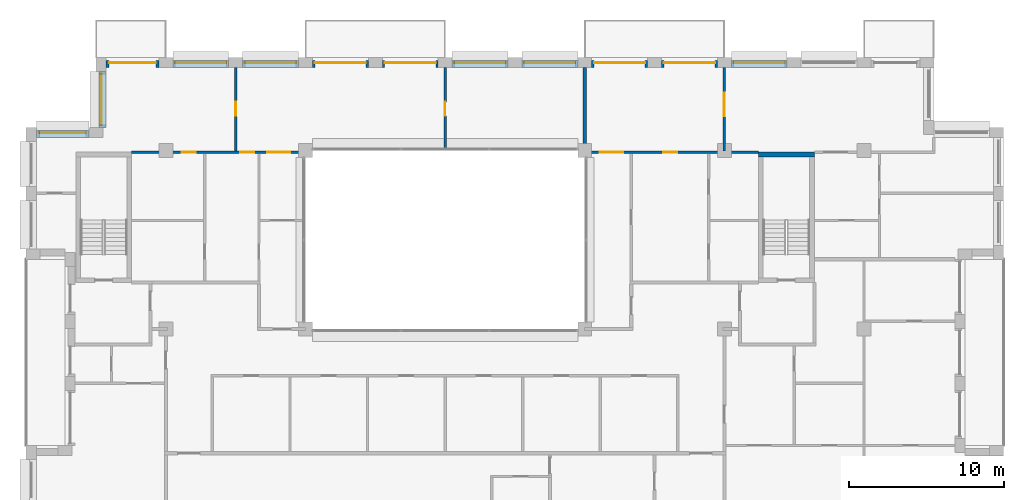
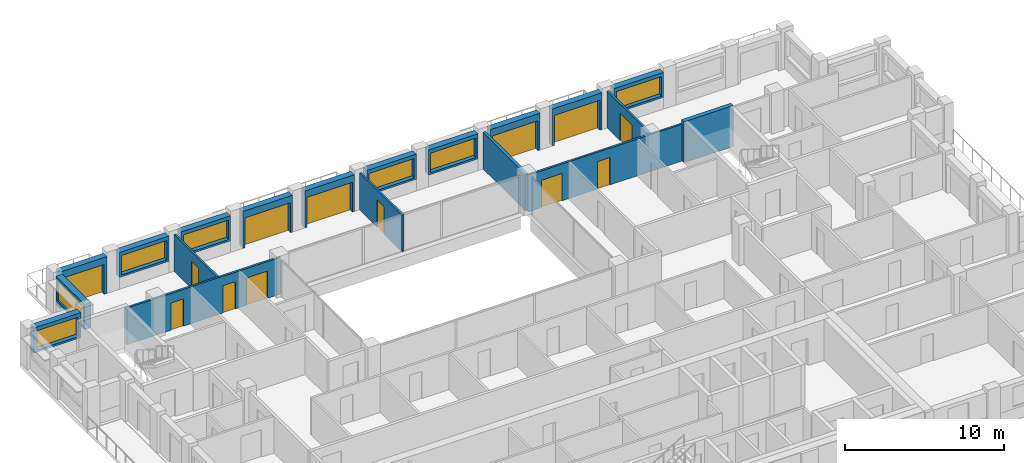
# One storey, part 13 of 15: 19 walls, 13 doors, 7 windows, 20 openings.
"""IFC4 building model written with IfcOpenShell, lengths in metres."""

from ifc_helpers import new_model, si_unit, direction, frame, frame_2d, origin, place, context, subcontext, project, spatial, rectangle, extrude, material, layer, layer_set, type_object, element, fill, save


model = new_model("IFC4")

# Units and contexts
model_context = context("Model", 3, precision=1e-05, world=origin(), true_north=direction((0.0, 1.0)))
body_context = subcontext(model_context, "Body", "Model", "MODEL_VIEW")
ifc_project = project(units=[si_unit("LENGTHUNIT", "METRE"), si_unit("AREAUNIT", "SQUARE_METRE"), si_unit("VOLUMEUNIT", "CUBIC_METRE"), si_unit("PLANEANGLEUNIT", "RADIAN"), si_unit("MASSUNIT", "GRAM", prefix="KILO")], contexts=[model_context])

# Site, building, storey
site_placement = place(None, origin())
site = spatial("IfcSite", under=ifc_project, at=site_placement, CompositionType="ELEMENT")
building_placement = place(site_placement, origin())
building = spatial("IfcBuilding", under=site, at=building_placement, Name="Brigalow Station Residences", CompositionType="ELEMENT")
storey_placement = place(building_placement, frame((0.0, 0.0, 207.449951171875)))
storey = spatial("IfcBuildingStorey", under=building, at=storey_placement, Name="L59", CompositionType="ELEMENT", Elevation=207.449951171875)

# Wall, opening, window
ifc_material_1 = material(Name="Clay brick masonry", Category="masonry")
ifc_layer_1 = layer(ifc_material_1, 0.449951171875)
ifc_layer_set_1 = layer_set([ifc_layer_1], Name="BRICK INFILL WALL 450")
wall_type_1 = type_object("IfcWallType", Name="BRICK INFILL WALL 450", PredefinedType="SOLIDWALL", material=ifc_layer_set_1)
wall_1_placement = place(storey_placement, frame((58.050048828125, 41.074951171875, 0.900146484375), z_axis=(0.0, 0.0, 1.0), x_axis=(-1.0, 0.0, 0.0)))
wall_1 = element("IfcWall", 1, at=wall_1_placement, inside=storey, type_object=wall_type_1, Name="L59/ewall/W-L59-22", PredefinedType="SOLIDWALL", context=body_context, shape_type="SweptSolid", body=[
    extrude(rectangle(XDim=3.60009765625, YDim=0.449951171875, at=frame_2d((1.800048828125, 0.0))), origin(), (0.0, 0.0, 1.0), 1.929931640625),
])
opening_1_placement = place(wall_1_placement, frame((0.14990234375, 0.0, 0.14990234375)))
opening_1 = element("IfcOpeningElement", 2, at=opening_1_placement, cuts=wall_1, Name="Opening WT-10", PredefinedType="OPENING", context=body_context, shape_type="SweptSolid", body=[
    extrude(rectangle(XDim=3.300048828125, YDim=1.5, at=frame_2d((1.64990234375, 0.75))), frame((0.0, 0.23486328125, 0.0), z_axis=(0.0, -1.0, 0.0), x_axis=(1.0, 0.0, 0.0)), (0.0, 0.0, 1.0), 0.469970703125),
])
ifc_material_2 = material(Name="Anodised aluminium frame with double glazing", Category="aluminium")
window_type_1 = type_object("IfcWindowType", Name="WINDOW 3300x1500", PartitioningType="SINGLE_PANEL", PredefinedType="WINDOW", material=ifc_material_2)
window_1_placement = place(opening_1_placement, origin())
window_1 = element("IfcWindow", 3, at=window_1_placement, inside=storey, type_object=window_type_1, Name="L59/window/W-L59-22", OverallHeight=1.5, OverallWidth=3.300048828125, PartitioningType="SINGLE_PANEL", PredefinedType="WINDOW", context=body_context, shape_type="SweptSolid", body=[
    extrude(rectangle(XDim=3.300048828125, YDim=1.5, at=frame_2d((1.64990234375, 0.75))), frame((0.0, -0.06494140625, 0.0), z_axis=(0.0, -1.0, 0.0), x_axis=(1.0, 0.0, 0.0)), (0.0, 0.0, 1.0), 0.06005859375),
])
fill(opening_1, window_1)

# Wall, opening, door
wall_2_placement = place(storey_placement, frame((53.550048828125, 41.074951171875, 0.0), z_axis=(0.0, 0.0, 1.0), x_axis=(-1.0, 0.0, 0.0)))
wall_2 = element("IfcWall", 4, at=wall_2_placement, inside=storey, type_object=wall_type_1, Name="L59/ewall/W-L59-23", PredefinedType="SOLIDWALL", context=body_context, shape_type="SweptSolid", body=[
    extrude(rectangle(XDim=3.60009765625, YDim=0.449951171875, at=frame_2d((1.800048828125, 0.0))), origin(), (0.0, 0.0, 1.0), 2.830078125),
])
opening_2_placement = place(wall_2_placement, frame((0.14990234375, 0.0, 0.0)))
opening_2 = element("IfcOpeningElement", 5, at=opening_2_placement, cuts=wall_2, Name="Opening D-B3300", PredefinedType="OPENING", context=body_context, shape_type="SweptSolid", body=[
    extrude(rectangle(XDim=3.300048828125, YDim=2.300048828125, at=frame_2d((1.64990234375, 1.14990234375))), frame((0.0, 0.23486328125, 0.0), z_axis=(0.0, -1.0, 0.0), x_axis=(1.0, 0.0, 0.0)), (0.0, 0.0, 1.0), 0.469970703125),
])
ifc_material_3 = material(Name="Anodised aluminium frame with double glazing", Category="aluminium")
door_type_1 = type_object("IfcDoorType", Name="BALCONY SLIDING DOOR 3300x2300", OperationType="SLIDING_TO_LEFT", PredefinedType="DOOR", material=ifc_material_3)
door_1_placement = place(opening_2_placement, origin())
door_1 = element("IfcDoor", 6, at=door_1_placement, inside=storey, type_object=door_type_1, Name="L59/balcony-door/W-L59-23", OperationType="SLIDING_TO_LEFT", OverallHeight=2.300048828125, OverallWidth=3.300048828125, PredefinedType="DOOR", context=body_context, shape_type="SweptSolid", body=[
    extrude(rectangle(XDim=3.300048828125, YDim=2.300048828125, at=frame_2d((1.64990234375, 1.14990234375))), frame((0.0, -0.06982421875, 0.0), z_axis=(0.0, -1.0, 0.0), x_axis=(1.0, 0.0, 0.0)), (0.0, 0.0, 1.0), 0.050048828125),
])
fill(opening_2, door_1)

wall_3_placement = place(storey_placement, frame((49.050048828125, 41.074951171875, 0.0), z_axis=(0.0, 0.0, 1.0), x_axis=(-1.0, 0.0, 0.0)))
wall_3 = element("IfcWall", 7, at=wall_3_placement, inside=storey, type_object=wall_type_1, Name="L59/ewall/W-L59-24", PredefinedType="SOLIDWALL", context=body_context, shape_type="SweptSolid", body=[
    extrude(rectangle(XDim=3.60009765625, YDim=0.449951171875, at=frame_2d((1.800048828125, 0.0))), origin(), (0.0, 0.0, 1.0), 2.830078125),
])
opening_3_placement = place(wall_3_placement, frame((0.14990234375, 0.0, 0.0)))
opening_3 = element("IfcOpeningElement", 8, at=opening_3_placement, cuts=wall_3, Name="Opening D-B3300", PredefinedType="OPENING", context=body_context, shape_type="SweptSolid", body=[
    extrude(rectangle(XDim=3.300048828125, YDim=2.300048828125, at=frame_2d((1.64990234375, 1.14990234375))), frame((0.0, 0.23486328125, 0.0), z_axis=(0.0, -1.0, 0.0), x_axis=(1.0, 0.0, 0.0)), (0.0, 0.0, 1.0), 0.469970703125),
])
door_2_placement = place(opening_3_placement, origin())
door_2 = element("IfcDoor", 9, at=door_2_placement, inside=storey, type_object=door_type_1, Name="L59/balcony-door/W-L59-24", OperationType="SLIDING_TO_LEFT", OverallHeight=2.300048828125, OverallWidth=3.300048828125, PredefinedType="DOOR", context=body_context, shape_type="SweptSolid", body=[
    extrude(rectangle(XDim=3.300048828125, YDim=2.300048828125, at=frame_2d((1.64990234375, 1.14990234375))), frame((0.0, -0.06982421875, 0.0), z_axis=(0.0, -1.0, 0.0), x_axis=(1.0, 0.0, 0.0)), (0.0, 0.0, 1.0), 0.050048828125),
])
fill(opening_3, door_2)

# Wall, opening, window
wall_4_placement = place(storey_placement, frame((44.550048828125, 41.074951171875, 0.900146484375), z_axis=(0.0, 0.0, 1.0), x_axis=(-1.0, 0.0, 0.0)))
wall_4 = element("IfcWall", 10, at=wall_4_placement, inside=storey, type_object=wall_type_1, Name="L59/ewall/W-L59-25", PredefinedType="SOLIDWALL", context=body_context, shape_type="SweptSolid", body=[
    extrude(rectangle(XDim=3.60009765625, YDim=0.449951171875, at=frame_2d((1.800048828125, 0.0))), origin(), (0.0, 0.0, 1.0), 1.929931640625),
])
opening_4_placement = place(wall_4_placement, frame((0.14990234375, 0.0, 0.14990234375)))
opening_4 = element("IfcOpeningElement", 11, at=opening_4_placement, cuts=wall_4, Name="Opening WT-10", PredefinedType="OPENING", context=body_context, shape_type="SweptSolid", body=[
    extrude(rectangle(XDim=3.300048828125, YDim=1.5, at=frame_2d((1.64990234375, 0.75))), frame((0.0, 0.23486328125, 0.0), z_axis=(0.0, -1.0, 0.0), x_axis=(1.0, 0.0, 0.0)), (0.0, 0.0, 1.0), 0.469970703125),
])
window_2_placement = place(opening_4_placement, origin())
window_2 = element("IfcWindow", 12, at=window_2_placement, inside=storey, type_object=window_type_1, Name="L59/window/W-L59-25", OverallHeight=1.5, OverallWidth=3.300048828125, PartitioningType="SINGLE_PANEL", PredefinedType="WINDOW", context=body_context, shape_type="SweptSolid", body=[
    extrude(rectangle(XDim=3.300048828125, YDim=1.5, at=frame_2d((1.64990234375, 0.75))), frame((0.0, -0.06494140625, 0.0), z_axis=(0.0, -1.0, 0.0), x_axis=(1.0, 0.0, 0.0)), (0.0, 0.0, 1.0), 0.06005859375),
])
fill(opening_4, window_2)

wall_5_placement = place(storey_placement, frame((40.050048828125, 41.074951171875, 0.900146484375), z_axis=(0.0, 0.0, 1.0), x_axis=(-1.0, 0.0, 0.0)))
wall_5 = element("IfcWall", 13, at=wall_5_placement, inside=storey, type_object=wall_type_1, Name="L59/ewall/W-L59-26", PredefinedType="SOLIDWALL", context=body_context, shape_type="SweptSolid", body=[
    extrude(rectangle(XDim=3.60009765625, YDim=0.449951171875, at=frame_2d((1.800048828125, 0.0))), origin(), (0.0, 0.0, 1.0), 1.929931640625),
])
opening_5_placement = place(wall_5_placement, frame((0.14990234375, 0.0, 0.14990234375)))
opening_5 = element("IfcOpeningElement", 14, at=opening_5_placement, cuts=wall_5, Name="Opening WT-10", PredefinedType="OPENING", context=body_context, shape_type="SweptSolid", body=[
    extrude(rectangle(XDim=3.300048828125, YDim=1.5, at=frame_2d((1.64990234375, 0.75))), frame((0.0, 0.23486328125, 0.0), z_axis=(0.0, -1.0, 0.0), x_axis=(1.0, 0.0, 0.0)), (0.0, 0.0, 1.0), 0.469970703125),
])
window_3_placement = place(opening_5_placement, origin())
window_3 = element("IfcWindow", 15, at=window_3_placement, inside=storey, type_object=window_type_1, Name="L59/window/W-L59-26", OverallHeight=1.5, OverallWidth=3.300048828125, PartitioningType="SINGLE_PANEL", PredefinedType="WINDOW", context=body_context, shape_type="SweptSolid", body=[
    extrude(rectangle(XDim=3.300048828125, YDim=1.5, at=frame_2d((1.64990234375, 0.75))), frame((0.0, -0.06494140625, 0.0), z_axis=(0.0, -1.0, 0.0), x_axis=(1.0, 0.0, 0.0)), (0.0, 0.0, 1.0), 0.06005859375),
])
fill(opening_5, window_3)

# Wall, opening, door
wall_6_placement = place(storey_placement, frame((35.550048828125, 41.074951171875, 0.0), z_axis=(0.0, 0.0, 1.0), x_axis=(-1.0, 0.0, 0.0)))
wall_6 = element("IfcWall", 16, at=wall_6_placement, inside=storey, type_object=wall_type_1, Name="L59/ewall/W-L59-27", PredefinedType="SOLIDWALL", context=body_context, shape_type="SweptSolid", body=[
    extrude(rectangle(XDim=3.60009765625, YDim=0.449951171875, at=frame_2d((1.800048828125, 0.0))), origin(), (0.0, 0.0, 1.0), 2.830078125),
])
opening_6_placement = place(wall_6_placement, frame((0.14990234375, 0.0, 0.0)))
opening_6 = element("IfcOpeningElement", 17, at=opening_6_placement, cuts=wall_6, Name="Opening D-B3300", PredefinedType="OPENING", context=body_context, shape_type="SweptSolid", body=[
    extrude(rectangle(XDim=3.300048828125, YDim=2.300048828125, at=frame_2d((1.64990234375, 1.14990234375))), frame((0.0, 0.23486328125, 0.0), z_axis=(0.0, -1.0, 0.0), x_axis=(1.0, 0.0, 0.0)), (0.0, 0.0, 1.0), 0.469970703125),
])
door_3_placement = place(opening_6_placement, origin())
door_3 = element("IfcDoor", 18, at=door_3_placement, inside=storey, type_object=door_type_1, Name="L59/balcony-door/W-L59-27", OperationType="SLIDING_TO_LEFT", OverallHeight=2.300048828125, OverallWidth=3.300048828125, PredefinedType="DOOR", context=body_context, shape_type="SweptSolid", body=[
    extrude(rectangle(XDim=3.300048828125, YDim=2.300048828125, at=frame_2d((1.64990234375, 1.14990234375))), frame((0.0, -0.06982421875, 0.0), z_axis=(0.0, -1.0, 0.0), x_axis=(1.0, 0.0, 0.0)), (0.0, 0.0, 1.0), 0.050048828125),
])
fill(opening_6, door_3)

wall_7_placement = place(storey_placement, frame((31.050048828125, 41.074951171875, 0.0), z_axis=(0.0, 0.0, 1.0), x_axis=(-1.0, 0.0, 0.0)))
wall_7 = element("IfcWall", 19, at=wall_7_placement, inside=storey, type_object=wall_type_1, Name="L59/ewall/W-L59-28", PredefinedType="SOLIDWALL", context=body_context, shape_type="SweptSolid", body=[
    extrude(rectangle(XDim=3.60009765625, YDim=0.449951171875, at=frame_2d((1.800048828125, 0.0))), origin(), (0.0, 0.0, 1.0), 2.830078125),
])
opening_7_placement = place(wall_7_placement, frame((0.14990234375, 0.0, 0.0)))
opening_7 = element("IfcOpeningElement", 20, at=opening_7_placement, cuts=wall_7, Name="Opening D-B3300", PredefinedType="OPENING", context=body_context, shape_type="SweptSolid", body=[
    extrude(rectangle(XDim=3.300048828125, YDim=2.300048828125, at=frame_2d((1.64990234375, 1.14990234375))), frame((0.0, 0.23486328125, 0.0), z_axis=(0.0, -1.0, 0.0), x_axis=(1.0, 0.0, 0.0)), (0.0, 0.0, 1.0), 0.469970703125),
])
door_4_placement = place(opening_7_placement, origin())
door_4 = element("IfcDoor", 21, at=door_4_placement, inside=storey, type_object=door_type_1, Name="L59/balcony-door/W-L59-28", OperationType="SLIDING_TO_LEFT", OverallHeight=2.300048828125, OverallWidth=3.300048828125, PredefinedType="DOOR", context=body_context, shape_type="SweptSolid", body=[
    extrude(rectangle(XDim=3.300048828125, YDim=2.300048828125, at=frame_2d((1.64990234375, 1.14990234375))), frame((0.0, -0.06982421875, 0.0), z_axis=(0.0, -1.0, 0.0), x_axis=(1.0, 0.0, 0.0)), (0.0, 0.0, 1.0), 0.050048828125),
])
fill(opening_7, door_4)

# Wall, opening, window
wall_8_placement = place(storey_placement, frame((26.550048828125, 41.074951171875, 0.900146484375), z_axis=(0.0, 0.0, 1.0), x_axis=(-1.0, 0.0, 0.0)))
wall_8 = element("IfcWall", 22, at=wall_8_placement, inside=storey, type_object=wall_type_1, Name="L59/ewall/W-L59-29", PredefinedType="SOLIDWALL", context=body_context, shape_type="SweptSolid", body=[
    extrude(rectangle(XDim=3.60009765625, YDim=0.449951171875, at=frame_2d((1.800048828125, 0.0))), origin(), (0.0, 0.0, 1.0), 1.929931640625),
])
opening_8_placement = place(wall_8_placement, frame((0.14990234375, 0.0, 0.14990234375)))
opening_8 = element("IfcOpeningElement", 23, at=opening_8_placement, cuts=wall_8, Name="Opening WT-10", PredefinedType="OPENING", context=body_context, shape_type="SweptSolid", body=[
    extrude(rectangle(XDim=3.300048828125, YDim=1.5, at=frame_2d((1.64990234375, 0.75))), frame((0.0, 0.23486328125, 0.0), z_axis=(0.0, -1.0, 0.0), x_axis=(1.0, 0.0, 0.0)), (0.0, 0.0, 1.0), 0.469970703125),
])
window_4_placement = place(opening_8_placement, origin())
window_4 = element("IfcWindow", 24, at=window_4_placement, inside=storey, type_object=window_type_1, Name="L59/window/W-L59-29", OverallHeight=1.5, OverallWidth=3.300048828125, PartitioningType="SINGLE_PANEL", PredefinedType="WINDOW", context=body_context, shape_type="SweptSolid", body=[
    extrude(rectangle(XDim=3.300048828125, YDim=1.5, at=frame_2d((1.64990234375, 0.75))), frame((0.0, -0.06494140625, 0.0), z_axis=(0.0, -1.0, 0.0), x_axis=(1.0, 0.0, 0.0)), (0.0, 0.0, 1.0), 0.06005859375),
])
fill(opening_8, window_4)

wall_9_placement = place(storey_placement, frame((22.050048828125, 41.074951171875, 0.900146484375), z_axis=(0.0, 0.0, 1.0), x_axis=(-1.0, 0.0, 0.0)))
wall_9 = element("IfcWall", 25, at=wall_9_placement, inside=storey, type_object=wall_type_1, Name="L59/ewall/W-L59-30", PredefinedType="SOLIDWALL", context=body_context, shape_type="SweptSolid", body=[
    extrude(rectangle(XDim=3.60009765625, YDim=0.449951171875, at=frame_2d((1.800048828125, 0.0))), origin(), (0.0, 0.0, 1.0), 1.929931640625),
])
opening_9_placement = place(wall_9_placement, frame((0.14990234375, 0.0, 0.14990234375)))
opening_9 = element("IfcOpeningElement", 26, at=opening_9_placement, cuts=wall_9, Name="Opening WT-10", PredefinedType="OPENING", context=body_context, shape_type="SweptSolid", body=[
    extrude(rectangle(XDim=3.300048828125, YDim=1.5, at=frame_2d((1.64990234375, 0.75))), frame((0.0, 0.23486328125, 0.0), z_axis=(0.0, -1.0, 0.0), x_axis=(1.0, 0.0, 0.0)), (0.0, 0.0, 1.0), 0.469970703125),
])
window_5_placement = place(opening_9_placement, origin())
window_5 = element("IfcWindow", 27, at=window_5_placement, inside=storey, type_object=window_type_1, Name="L59/window/W-L59-30", OverallHeight=1.5, OverallWidth=3.300048828125, PartitioningType="SINGLE_PANEL", PredefinedType="WINDOW", context=body_context, shape_type="SweptSolid", body=[
    extrude(rectangle(XDim=3.300048828125, YDim=1.5, at=frame_2d((1.64990234375, 0.75))), frame((0.0, -0.06494140625, 0.0), z_axis=(0.0, -1.0, 0.0), x_axis=(1.0, 0.0, 0.0)), (0.0, 0.0, 1.0), 0.06005859375),
])
fill(opening_9, window_5)

# Wall, opening, door
wall_10_placement = place(storey_placement, frame((17.550048828125, 41.074951171875, 0.0), z_axis=(0.0, 0.0, 1.0), x_axis=(-1.0, 0.0, 0.0)))
wall_10 = element("IfcWall", 28, at=wall_10_placement, inside=storey, type_object=wall_type_1, Name="L59/ewall/W-L59-31", PredefinedType="SOLIDWALL", context=body_context, shape_type="SweptSolid", body=[
    extrude(rectangle(XDim=3.400146484375, YDim=0.449951171875, at=frame_2d((1.7001953125, 0.0))), origin(), (0.0, 0.0, 1.0), 2.830078125),
])
opening_10_placement = place(wall_10_placement, frame((0.199951171875, 0.0, 0.0)))
opening_10 = element("IfcOpeningElement", 29, at=opening_10_placement, cuts=wall_10, Name="Opening D-B3000", PredefinedType="OPENING", context=body_context, shape_type="SweptSolid", body=[
    extrude(rectangle(XDim=3.0, YDim=2.300048828125, at=frame_2d((1.5, 1.14990234375))), frame((0.0, 0.23486328125, 0.0), z_axis=(0.0, -1.0, 0.0), x_axis=(1.0, 0.0, 0.0)), (0.0, 0.0, 1.0), 0.469970703125),
])
ifc_material_4 = material(Name="Anodised aluminium frame with double glazing", Category="aluminium")
door_type_2 = type_object("IfcDoorType", Name="BALCONY SLIDING DOOR 3000x2300", OperationType="SLIDING_TO_LEFT", PredefinedType="DOOR", material=ifc_material_4)
door_5_placement = place(opening_10_placement, origin())
door_5 = element("IfcDoor", 30, at=door_5_placement, inside=storey, type_object=door_type_2, Name="L59/balcony-door/W-L59-31", OperationType="SLIDING_TO_LEFT", OverallHeight=2.300048828125, OverallWidth=3.0, PredefinedType="DOOR", context=body_context, shape_type="SweptSolid", body=[
    extrude(rectangle(XDim=3.0, YDim=2.300048828125, at=frame_2d((1.5, 1.14990234375))), frame((0.0, -0.06982421875, 0.0), z_axis=(0.0, -1.0, 0.0), x_axis=(1.0, 0.0, 0.0)), (0.0, 0.0, 1.0), 0.050048828125),
])
fill(opening_10, door_5)

# Wall, opening, window
wall_11_placement = place(storey_placement, frame((13.925048828125, 40.60009765625, 0.900146484375), z_axis=(0.0, 0.0, 1.0), x_axis=(0.0, -1.0, 0.0)))
wall_11 = element("IfcWall", 31, at=wall_11_placement, inside=storey, type_object=wall_type_1, Name="L59/ewall/W-L59-32", PredefinedType="SOLIDWALL", context=body_context, shape_type="SweptSolid", body=[
    extrude(rectangle(XDim=3.60009765625, YDim=0.449951171875, at=frame_2d((1.800048828125, 0.0))), origin(), (0.0, 0.0, 1.0), 1.929931640625),
])
opening_11_placement = place(wall_11_placement, frame((0.14990234375, 0.0, 0.14990234375)))
opening_11 = element("IfcOpeningElement", 32, at=opening_11_placement, cuts=wall_11, Name="Opening WT-10", PredefinedType="OPENING", context=body_context, shape_type="SweptSolid", body=[
    extrude(rectangle(XDim=3.300048828125, YDim=1.5, at=frame_2d((1.64990234375, 0.75))), frame((0.0, 0.23486328125, 0.0), z_axis=(0.0, -1.0, 0.0), x_axis=(1.0, 0.0, 0.0)), (0.0, 0.0, 1.0), 0.469970703125),
])
window_6_placement = place(opening_11_placement, origin())
window_6 = element("IfcWindow", 33, at=window_6_placement, inside=storey, type_object=window_type_1, Name="L59/window/W-L59-32", OverallHeight=1.5, OverallWidth=3.300048828125, PartitioningType="SINGLE_PANEL", PredefinedType="WINDOW", context=body_context, shape_type="SweptSolid", body=[
    extrude(rectangle(XDim=3.300048828125, YDim=1.5, at=frame_2d((1.64990234375, 0.75))), frame((0.0, -0.06494140625, 0.0), z_axis=(0.0, -1.0, 0.0), x_axis=(1.0, 0.0, 0.0)), (0.0, 0.0, 1.0), 0.06005859375),
])
fill(opening_11, window_6)

wall_12_placement = place(storey_placement, frame((13.050048828125, 36.574951171875, 0.900146484375), z_axis=(0.0, 0.0, 1.0), x_axis=(-1.0, 0.0, 0.0)))
wall_12 = element("IfcWall", 34, at=wall_12_placement, inside=storey, type_object=wall_type_1, Name="L59/ewall/W-L59-33", PredefinedType="SOLIDWALL", context=body_context, shape_type="SweptSolid", body=[
    extrude(rectangle(XDim=3.400146484375, YDim=0.449951171875, at=frame_2d((1.7001953125, 0.0))), origin(), (0.0, 0.0, 1.0), 1.929931640625),
])
opening_12_placement = place(wall_12_placement, frame((0.199951171875, 0.0, 0.14990234375)))
opening_12 = element("IfcOpeningElement", 35, at=opening_12_placement, cuts=wall_12, Name="Opening WT-2", PredefinedType="OPENING", context=body_context, shape_type="SweptSolid", body=[
    extrude(rectangle(XDim=3.0, YDim=1.5, at=frame_2d((1.5, 0.75))), frame((0.0, 0.23486328125, 0.0), z_axis=(0.0, -1.0, 0.0), x_axis=(1.0, 0.0, 0.0)), (0.0, 0.0, 1.0), 0.469970703125),
])
ifc_material_5 = material(Name="Anodised aluminium frame with double glazing", Category="aluminium")
window_type_2 = type_object("IfcWindowType", Name="WINDOW 3000x1500", PartitioningType="SINGLE_PANEL", PredefinedType="WINDOW", material=ifc_material_5)
window_7_placement = place(opening_12_placement, origin())
window_7 = element("IfcWindow", 36, at=window_7_placement, inside=storey, type_object=window_type_2, Name="L59/window/W-L59-33", OverallHeight=1.5, OverallWidth=3.0, PartitioningType="SINGLE_PANEL", PredefinedType="WINDOW", context=body_context, shape_type="SweptSolid", body=[
    extrude(rectangle(XDim=3.0, YDim=1.5, at=frame_2d((1.5, 0.75))), frame((0.0, -0.06494140625, 0.0), z_axis=(0.0, -1.0, 0.0), x_axis=(1.0, 0.0, 0.0)), (0.0, 0.0, 1.0), 0.06005859375),
])
fill(opening_12, window_7)

# Wall
ifc_material_6 = material(Name="Concrete C50", Category="concrete")
ifc_layer_2 = layer(ifc_material_6, 0.300048828125)
ifc_layer_set_2 = layer_set([ifc_layer_2], Name="CORE SHEAR WALL 300 C50")
wall_type_2 = type_object("IfcWallType", Name="CORE SHEAR WALL 300 C50", PredefinedType="SHEAR", material=ifc_layer_set_2)
wall_13_placement = place(storey_placement, frame((56.199951171875, 35.25, 0.0), z_axis=(0.0, 0.0, 1.0), x_axis=(1.0, 0.0, 0.0)))
element("IfcWall", 37, at=wall_13_placement, inside=storey, type_object=wall_type_2, Name="CORE WALL ST-S3-N L59", PredefinedType="SHEAR", context=body_context, shape_type="SweptSolid", body=[
    extrude(rectangle(XDim=3.60009765625, YDim=0.300048828125, at=frame_2d((1.800048828125, 0.0))), origin(), (0.0, 0.0, 1.0), 3.150146484375),
])

# Wall, openings, doors
ifc_material_7 = material(Name="Plasterboard on steel stud partition", Category="steel")
ifc_layer_3 = layer(ifc_material_7, 0.14990234375)
ifc_layer_set_3 = layer_set([ifc_layer_3], Name="FLAT PARTITION 150")
wall_type_3 = type_object("IfcWallType", Name="FLAT PARTITION 150", PredefinedType="PARTITIONING", material=ifc_layer_set_3)
wall_14_placement = place(storey_placement, frame((15.800048828125, 35.39990234375, 0.0), z_axis=(0.0, 0.0, 1.0), x_axis=(1.0, 0.0, 0.0)))
wall_14 = element("IfcWall", 38, at=wall_14_placement, inside=storey, type_object=wall_type_3, Name="PW-4B19", PredefinedType="PARTITIONING", context=body_context, shape_type="SweptSolid", body=[
    extrude(rectangle(XDim=11.199951171875, YDim=0.14990234375, at=frame_2d((5.60009765625, 0.0))), origin(), (0.0, 0.0, 1.0), 2.830078125),
])
opening_13_placement = place(wall_14_placement, frame((8.72509765625, 0.0, 0.0)))
opening_13 = element("IfcOpeningElement", 39, at=opening_13_placement, cuts=wall_14, Name="Opening D-4B14", PredefinedType="OPENING", context=body_context, shape_type="SweptSolid", body=[
    extrude(rectangle(XDim=1.5, YDim=2.10009765625, at=frame_2d((0.75, 1.050048828125))), frame((0.0, 0.0849609375, 0.0), z_axis=(0.0, -1.0, 0.0), x_axis=(1.0, 0.0, 0.0)), (0.0, 0.0, 1.0), 0.169921875),
])
opening_14_placement = place(wall_14_placement, frame((7.0, 0.0, 0.0)))
opening_14 = element("IfcOpeningElement", 40, at=opening_14_placement, cuts=wall_14, Name="Opening D-4B15", PredefinedType="OPENING", context=body_context, shape_type="SweptSolid", body=[
    extrude(rectangle(XDim=0.89990234375, YDim=2.10009765625, at=frame_2d((0.449951171875, 1.050048828125))), frame((0.0, 0.0849609375, 0.0), z_axis=(0.0, -1.0, 0.0), x_axis=(1.0, 0.0, 0.0)), (0.0, 0.0, 1.0), 0.169921875),
])
opening_15_placement = place(wall_14_placement, frame((3.22509765625, 0.0, 0.0)))
opening_15 = element("IfcOpeningElement", 41, at=opening_15_placement, cuts=wall_14, Name="Opening D-4B18", PredefinedType="OPENING", context=body_context, shape_type="SweptSolid", body=[
    extrude(rectangle(XDim=0.89990234375, YDim=2.10009765625, at=frame_2d((0.449951171875, 1.050048828125))), frame((0.0, 0.0849609375, 0.0), z_axis=(0.0, -1.0, 0.0), x_axis=(1.0, 0.0, 0.0)), (0.0, 0.0, 1.0), 0.169921875),
])
ifc_material_8 = material(Name="Solid-core timber door leaf", Category="wood")
door_type_3 = type_object("IfcDoorType", Name="INTERNAL DOOR 900 x 2100", OperationType="SINGLE_SWING_LEFT", PredefinedType="DOOR", material=ifc_material_8)
door_6_placement = place(opening_14_placement, frame((0.89990234375, 0.0, 0.0), z_axis=(0.0, 0.0, 1.0), x_axis=(-1.0, 0.0, 0.0)))
door_6 = element("IfcDoor", 42, at=door_6_placement, inside=storey, type_object=door_type_3, Name="D-4B15", OperationType="SINGLE_SWING_LEFT", OverallHeight=2.10009765625, OverallWidth=0.89990234375, PredefinedType="DOOR", context=body_context, shape_type="SweptSolid", body=[
    extrude(rectangle(XDim=0.89990234375, YDim=2.10009765625, at=frame_2d((0.449951171875, 1.050048828125))), frame((0.0, 0.02490234375, 0.0), z_axis=(0.0, -1.0, 0.0), x_axis=(1.0, 0.0, 0.0)), (0.0, 0.0, 1.0), 0.050048828125),
])
fill(opening_14, door_6)
door_7_placement = place(opening_15_placement, frame((0.89990234375, 0.0, 0.0), z_axis=(0.0, 0.0, 1.0), x_axis=(-1.0, 0.0, 0.0)))
door_7 = element("IfcDoor", 43, at=door_7_placement, inside=storey, type_object=door_type_3, Name="D-4B18", OperationType="SINGLE_SWING_LEFT", OverallHeight=2.10009765625, OverallWidth=0.89990234375, PredefinedType="DOOR", context=body_context, shape_type="SweptSolid", body=[
    extrude(rectangle(XDim=0.89990234375, YDim=2.10009765625, at=frame_2d((0.449951171875, 1.050048828125))), frame((0.0, 0.02490234375, 0.0), z_axis=(0.0, -1.0, 0.0), x_axis=(1.0, 0.0, 0.0)), (0.0, 0.0, 1.0), 0.050048828125),
])
fill(opening_15, door_7)
ifc_material_9 = material(Name="Solid-core timber door leaf", Category="wood")
door_type_4 = type_object("IfcDoorType", Name="INTERNAL DOUBLE DOOR 1500 x 2100", OperationType="DOUBLE_DOOR_SINGLE_SWING", PredefinedType="DOOR", material=ifc_material_9)
door_8_placement = place(opening_13_placement, origin())
door_8 = element("IfcDoor", 44, at=door_8_placement, inside=storey, type_object=door_type_4, Name="D-4B14", OperationType="DOUBLE_DOOR_SINGLE_SWING", OverallHeight=2.10009765625, OverallWidth=1.5, PredefinedType="DOOR", context=body_context, shape_type="SweptSolid", body=[
    extrude(rectangle(XDim=1.5, YDim=2.10009765625, at=frame_2d((0.75, 1.050048828125))), frame((0.0, 0.02490234375, 0.0), z_axis=(0.0, -1.0, 0.0), x_axis=(1.0, 0.0, 0.0)), (0.0, 0.0, 1.0), 0.050048828125),
])
fill(opening_13, door_8)

wall_15_placement = place(storey_placement, frame((45.0, 35.39990234375, 0.0), z_axis=(0.0, 0.0, 1.0), x_axis=(1.0, 0.0, 0.0)))
wall_15 = element("IfcWall", 45, at=wall_15_placement, inside=storey, type_object=wall_type_3, Name="PW-4B20", PredefinedType="PARTITIONING", context=body_context, shape_type="SweptSolid", body=[
    extrude(rectangle(XDim=11.199951171875, YDim=0.14990234375, at=frame_2d((5.60009765625, 0.0))), origin(), (0.0, 0.0, 1.0), 2.830078125),
])
opening_16_placement = place(wall_15_placement, frame((0.97509765625, 0.0, 0.0)))
opening_16 = element("IfcOpeningElement", 46, at=opening_16_placement, cuts=wall_15, Name="Opening D-4B22", PredefinedType="OPENING", context=body_context, shape_type="SweptSolid", body=[
    extrude(rectangle(XDim=1.5, YDim=2.10009765625, at=frame_2d((0.75, 1.050048828125))), frame((0.0, 0.0849609375, 0.0), z_axis=(0.0, -1.0, 0.0), x_axis=(1.0, 0.0, 0.0)), (0.0, 0.0, 1.0), 0.169921875),
])
opening_17_placement = place(wall_15_placement, frame((5.050048828125, 0.0, 0.0)))
opening_17 = element("IfcOpeningElement", 47, at=opening_17_placement, cuts=wall_15, Name="Opening D-4B23", PredefinedType="OPENING", context=body_context, shape_type="SweptSolid", body=[
    extrude(rectangle(XDim=0.89990234375, YDim=2.10009765625, at=frame_2d((0.449951171875, 1.050048828125))), frame((0.0, 0.0849609375, 0.0), z_axis=(0.0, -1.0, 0.0), x_axis=(1.0, 0.0, 0.0)), (0.0, 0.0, 1.0), 0.169921875),
])
door_9_placement = place(opening_17_placement, frame((0.89990234375, 0.0, 0.0), z_axis=(0.0, 0.0, 1.0), x_axis=(-1.0, 0.0, 0.0)))
door_9 = element("IfcDoor", 48, at=door_9_placement, inside=storey, type_object=door_type_3, Name="D-4B23", OperationType="SINGLE_SWING_LEFT", OverallHeight=2.10009765625, OverallWidth=0.89990234375, PredefinedType="DOOR", context=body_context, shape_type="SweptSolid", body=[
    extrude(rectangle(XDim=0.89990234375, YDim=2.10009765625, at=frame_2d((0.449951171875, 1.050048828125))), frame((0.0, 0.02490234375, 0.0), z_axis=(0.0, -1.0, 0.0), x_axis=(1.0, 0.0, 0.0)), (0.0, 0.0, 1.0), 0.050048828125),
])
fill(opening_17, door_9)
door_10_placement = place(opening_16_placement, frame((1.5, 0.0, 0.0), z_axis=(0.0, 0.0, 1.0), x_axis=(-1.0, 0.0, 0.0)))
door_10 = element("IfcDoor", 49, at=door_10_placement, inside=storey, type_object=door_type_4, Name="D-4B22", OperationType="DOUBLE_DOOR_SINGLE_SWING", OverallHeight=2.10009765625, OverallWidth=1.5, PredefinedType="DOOR", context=body_context, shape_type="SweptSolid", body=[
    extrude(rectangle(XDim=1.5, YDim=2.10009765625, at=frame_2d((0.75, 1.050048828125))), frame((0.0, 0.02490234375, 0.0), z_axis=(0.0, -1.0, 0.0), x_axis=(1.0, 0.0, 0.0)), (0.0, 0.0, 1.0), 0.050048828125),
])
fill(opening_16, door_10)

# Wall, opening, door
wall_16_placement = place(storey_placement, frame((54.0, 35.47509765625, 0.0), z_axis=(0.0, 0.0, 1.0), x_axis=(0.0, 1.0, 0.0)))
wall_16 = element("IfcWall", 50, at=wall_16_placement, inside=storey, type_object=wall_type_3, Name="PW-4B29", PredefinedType="PARTITIONING", context=body_context, shape_type="SweptSolid", body=[
    extrude(rectangle(XDim=5.375, YDim=0.14990234375, at=frame_2d((2.6875, 0.0))), origin(), (0.0, 0.0, 1.0), 2.830078125),
])
opening_18_placement = place(wall_16_placement, frame((2.25, 0.0, 0.0)))
opening_18 = element("IfcOpeningElement", 51, at=opening_18_placement, cuts=wall_16, Name="Opening D-4B26", PredefinedType="OPENING", context=body_context, shape_type="SweptSolid", body=[
    extrude(rectangle(XDim=1.5, YDim=2.10009765625, at=frame_2d((0.75, 1.050048828125))), frame((0.0, 0.0849609375, 0.0), z_axis=(0.0, -1.0, 0.0), x_axis=(1.0, 0.0, 0.0)), (0.0, 0.0, 1.0), 0.169921875),
])
door_11_placement = place(opening_18_placement, origin())
door_11 = element("IfcDoor", 52, at=door_11_placement, inside=storey, type_object=door_type_4, Name="D-4B26", OperationType="DOUBLE_DOOR_SINGLE_SWING", OverallHeight=2.10009765625, OverallWidth=1.5, PredefinedType="DOOR", context=body_context, shape_type="SweptSolid", body=[
    extrude(rectangle(XDim=1.5, YDim=2.10009765625, at=frame_2d((0.75, 1.050048828125))), frame((0.0, 0.02490234375, 0.0), z_axis=(0.0, -1.0, 0.0), x_axis=(1.0, 0.0, 0.0)), (0.0, 0.0, 1.0), 0.050048828125),
])
fill(opening_18, door_11)

wall_17_placement = place(storey_placement, frame((22.5, 35.47509765625, 0.0), z_axis=(0.0, 0.0, 1.0), x_axis=(0.0, 1.0, 0.0)))
wall_17 = element("IfcWall", 53, at=wall_17_placement, inside=storey, type_object=wall_type_3, Name="PW-4B40", PredefinedType="PARTITIONING", context=body_context, shape_type="SweptSolid", body=[
    extrude(rectangle(XDim=5.375, YDim=0.14990234375, at=frame_2d((2.6875, 0.0))), origin(), (0.0, 0.0, 1.0), 2.830078125),
])
opening_19_placement = place(wall_17_placement, frame((2.27490234375, 0.0, 0.0)))
opening_19 = element("IfcOpeningElement", 54, at=opening_19_placement, cuts=wall_17, Name="Opening D-4B16", PredefinedType="OPENING", context=body_context, shape_type="SweptSolid", body=[
    extrude(rectangle(XDim=0.89990234375, YDim=2.10009765625, at=frame_2d((0.449951171875, 1.050048828125))), frame((0.0, 0.0849609375, 0.0), z_axis=(0.0, -1.0, 0.0), x_axis=(1.0, 0.0, 0.0)), (0.0, 0.0, 1.0), 0.169921875),
])
door_12_placement = place(opening_19_placement, origin())
door_12 = element("IfcDoor", 55, at=door_12_placement, inside=storey, type_object=door_type_3, Name="D-4B16", OperationType="SINGLE_SWING_RIGHT", OverallHeight=2.10009765625, OverallWidth=0.89990234375, PredefinedType="DOOR", context=body_context, shape_type="SweptSolid", body=[
    extrude(rectangle(XDim=0.89990234375, YDim=2.10009765625, at=frame_2d((0.449951171875, 1.050048828125))), frame((0.0, 0.02490234375, 0.0), z_axis=(0.0, -1.0, 0.0), x_axis=(1.0, 0.0, 0.0)), (0.0, 0.0, 1.0), 0.050048828125),
])
fill(opening_19, door_12)

wall_18_placement = place(storey_placement, frame((36.0, 35.5, 0.0), z_axis=(0.0, 0.0, 1.0), x_axis=(0.0, 1.0, 0.0)))
wall_18 = element("IfcWall", 56, at=wall_18_placement, inside=storey, type_object=wall_type_3, Name="PW-4B42", PredefinedType="PARTITIONING", context=body_context, shape_type="SweptSolid", body=[
    extrude(rectangle(XDim=5.35009765625, YDim=0.14990234375, at=frame_2d((2.675048828125, 0.0))), origin(), (0.0, 0.0, 1.0), 2.830078125),
])
opening_20_placement = place(wall_18_placement, frame((2.25, 0.0, 0.0)))
opening_20 = element("IfcOpeningElement", 57, at=opening_20_placement, cuts=wall_18, Name="Opening D-4B19", PredefinedType="OPENING", context=body_context, shape_type="SweptSolid", body=[
    extrude(rectangle(XDim=0.89990234375, YDim=2.10009765625, at=frame_2d((0.449951171875, 1.050048828125))), frame((0.0, 0.0849609375, 0.0), z_axis=(0.0, -1.0, 0.0), x_axis=(1.0, 0.0, 0.0)), (0.0, 0.0, 1.0), 0.169921875),
])
door_13_placement = place(opening_20_placement, frame((0.89990234375, 0.0, 0.0), z_axis=(0.0, 0.0, 1.0), x_axis=(-1.0, 0.0, 0.0)))
door_13 = element("IfcDoor", 58, at=door_13_placement, inside=storey, type_object=door_type_3, Name="D-4B19", OperationType="SINGLE_SWING_LEFT", OverallHeight=2.10009765625, OverallWidth=0.89990234375, PredefinedType="DOOR", context=body_context, shape_type="SweptSolid", body=[
    extrude(rectangle(XDim=0.89990234375, YDim=2.10009765625, at=frame_2d((0.449951171875, 1.050048828125))), frame((0.0, 0.02490234375, 0.0), z_axis=(0.0, -1.0, 0.0), x_axis=(1.0, 0.0, 0.0)), (0.0, 0.0, 1.0), 0.050048828125),
])
fill(opening_20, door_13)

# Wall
ifc_material_10 = material(Name="Plasterboard on steel stud partition", Category="steel")
ifc_layer_4 = layer(ifc_material_10, 0.199951171875)
ifc_layer_set_4 = layer_set([ifc_layer_4], Name="PARTY AND CORRIDOR WALL 200")
wall_type_4 = type_object("IfcWallType", Name="PARTY AND CORRIDOR WALL 200", PredefinedType="PARTITIONING", material=ifc_layer_set_4)
wall_19_placement = place(storey_placement, frame((45.0, 35.5, 0.0), z_axis=(0.0, 0.0, 1.0), x_axis=(0.0, 1.0, 0.0)))
element("IfcWall", 59, at=wall_19_placement, inside=storey, type_object=wall_type_4, Name="PW-4B43", PredefinedType="PARTITIONING", context=body_context, shape_type="SweptSolid", body=[
    extrude(rectangle(XDim=5.35009765625, YDim=0.199951171875, at=frame_2d((2.675048828125, 0.0))), origin(), (0.0, 0.0, 1.0), 2.830078125),
])

save(model, "model.ifc")
